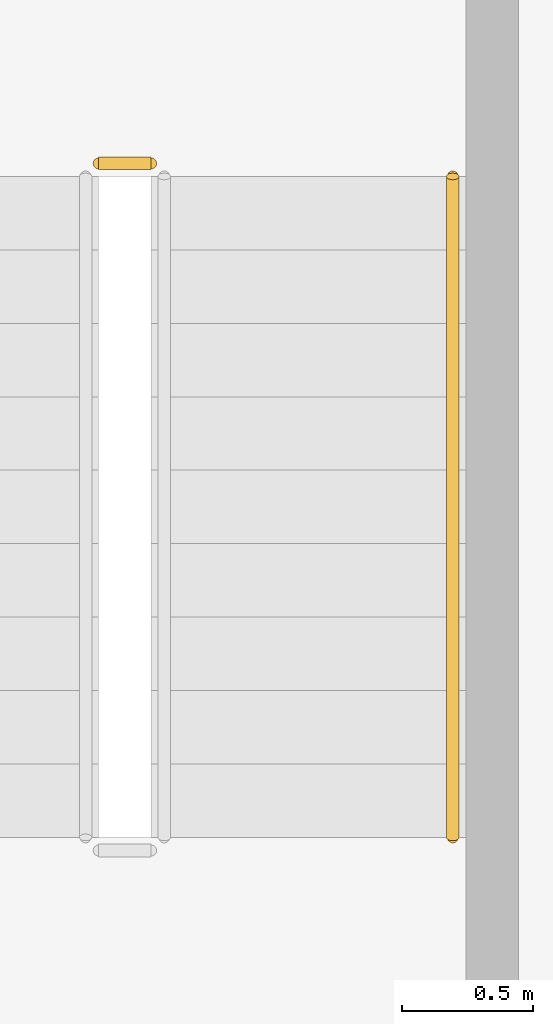
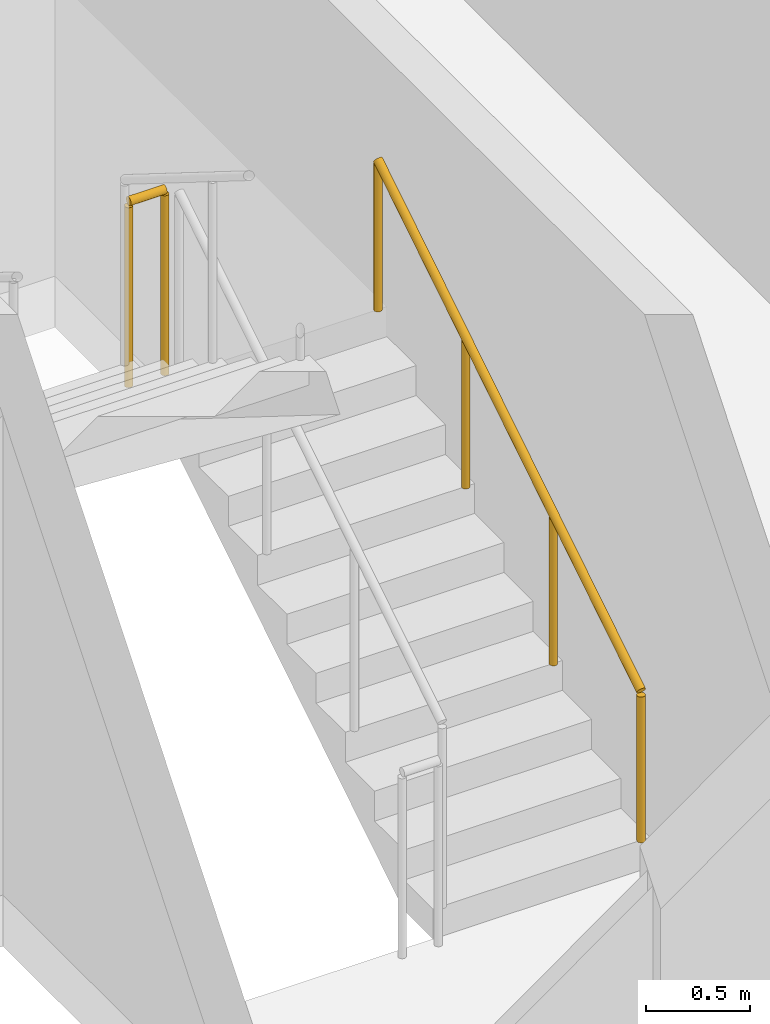
# One storey, part 17 of 22: 2 railings.
"""IFC4 building model written with IfcOpenShell, lengths in metres."""

from ifc_helpers import new_model, si_unit, direction, frame, origin, origin_2d, place, context, subcontext, project, spatial, circle, extrude, material, type_object, element, save


model = new_model("IFC4")

# Units and contexts
model_context = context("Model", 3, precision=1e-05, world=origin(), true_north=direction((0.0, 1.0)))
body_context = subcontext(model_context, "Body", "Model", "MODEL_VIEW")
ifc_project = project(units=[si_unit("LENGTHUNIT", "METRE"), si_unit("AREAUNIT", "SQUARE_METRE"), si_unit("VOLUMEUNIT", "CUBIC_METRE"), si_unit("PLANEANGLEUNIT", "RADIAN"), si_unit("MASSUNIT", "GRAM", prefix="KILO")], contexts=[model_context])

# Site, building, storey
site_placement = place(None, origin())
site = spatial("IfcSite", under=ifc_project, at=site_placement, CompositionType="ELEMENT")
building_placement = place(site_placement, origin())
building = spatial("IfcBuilding", under=site, at=building_placement, Name="Kiln Ring Residences", CompositionType="ELEMENT")
storey_placement = place(building_placement, frame((0.0, 0.0, 143.10009765625)))
storey = spatial("IfcBuildingStorey", under=building, at=storey_placement, Name="L36", CompositionType="ELEMENT", Elevation=143.10009765625)

# Railings
ifc_material_1 = material(Name="Stainless steel", Category="steel")
railing_type_1 = type_object("IfcRailingType", Name="CORE-STAIR-GUARD", PredefinedType="GUARDRAIL", material=ifc_material_1)
railing_1_placement = place(storey_placement, frame((22.199951171875, -5.830078125, 1.75)))
element("IfcRailing", 1, at=railing_1_placement, inside=storey, type_object=railing_type_1, Name="L36 E-STS stair guard 2", PredefinedType="GUARDRAIL", context=body_context, shape_type="SweptSolid", body=[
    extrude(circle(Radius=0.02392578125, at=origin_2d()), frame((0.0, 0.0, 1.076171875), z_axis=(-1.0, 0.0, 0.0), x_axis=(0.0, -1.0, 0.0)), (0.0, 0.0, 1.0), 0.199951171875),
    extrude(circle(Radius=0.02099609375, at=origin_2d()), origin(), (0.0, 0.0, 1.0), 1.052001953125),
    extrude(circle(Radius=0.02099609375, at=origin_2d()), frame((-0.199951171875, 0.0, 0.0)), (0.0, 0.0, 1.0), 1.052001953125),
])
ifc_material_2 = material(Name="Stainless steel", Category="steel")
railing_type_2 = type_object("IfcRailingType", Name="CORE-STAIR-HANDRAIL", PredefinedType="HANDRAIL", material=ifc_material_2)
railing_2_placement = place(storey_placement, frame((23.35009765625, -8.39990234375, 0.1748046875)))
element("IfcRailing", 2, at=railing_2_placement, inside=storey, type_object=railing_type_2, Name="L36 E-STS stair handrail 1", PredefinedType="HANDRAIL", context=body_context, shape_type="SweptSolid", body=[
    extrude(circle(Radius=0.02392578125, at=origin_2d()), frame((0.0, 0.0, 0.8759765625), z_axis=(0.0, 0.847970611238, 0.530043245855), x_axis=(-1.0, 0.0, 0.0)), (0.0, 0.0, 1.0), 2.971923828125),
    extrude(circle(Radius=0.02099609375, at=origin_2d()), origin(), (0.0, 0.0, 1.0), 0.851806640625),
    extrude(circle(Radius=0.02099609375, at=origin_2d()), frame((0.0, 0.840087890625, 0.525146484375)), (0.0, 0.0, 1.0), 0.851806640625),
    extrude(circle(Radius=0.02099609375, at=origin_2d()), frame((0.0, 1.679931640625, 1.050048828125)), (0.0, 0.0, 1.0), 0.851806640625),
    extrude(circle(Radius=0.02099609375, at=origin_2d()), frame((0.0, 2.52001953125, 1.5751953125)), (0.0, 0.0, 1.0), 0.851806640625),
])

save(model, "model.ifc")
